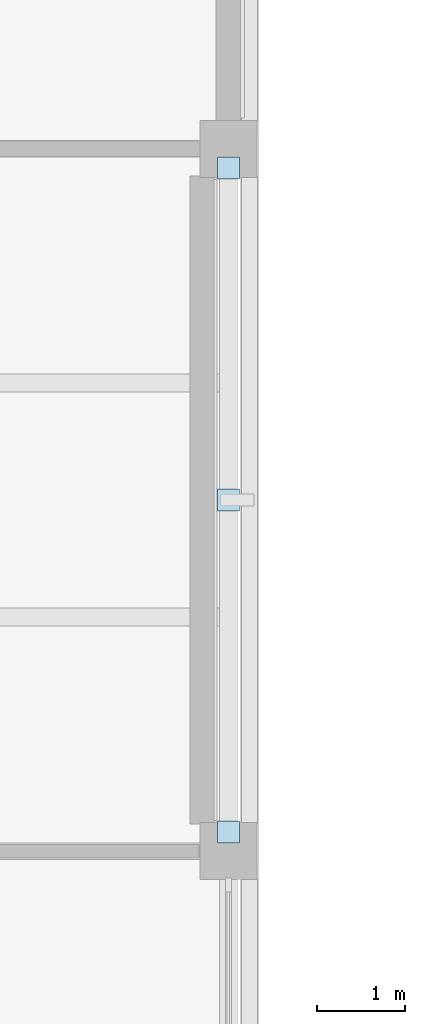
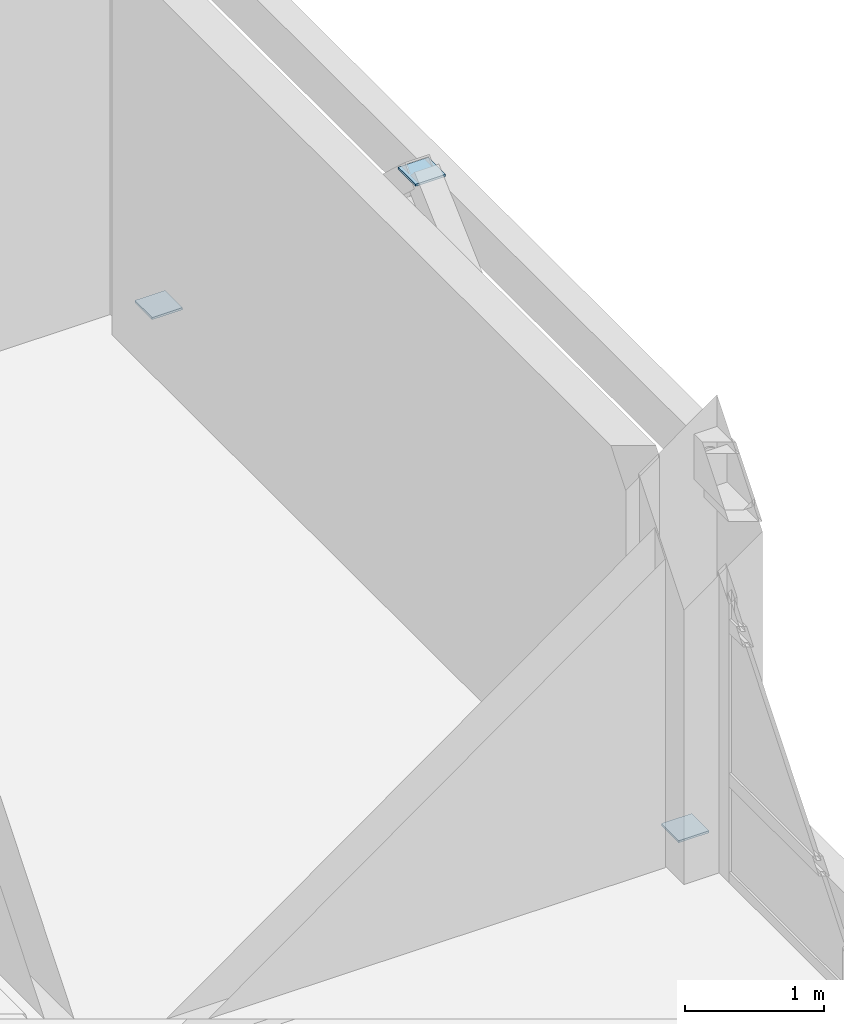
# One storey, part 63 of 92: 3 plates.
"""IFC4 building model written with IfcOpenShell, lengths in metres."""

import ifcopenshell
import ifcopenshell.guid

model = None  # the IFC model being written
_history = None  # IfcOwnerHistory: only IFC2X3 demands one
_inside = {}  # id of a spatial element -> (the spatial element, [elements in it])
_under = {}  # id of a project, library or spatial element -> (it, [spatial elements below it])
_declared = {}  # id of a project -> (the project, [libraries it declares])
_typed = {}  # id of a type object -> (the type object, [elements of that type])
_made_of = {}  # id of a material, layer set ... -> (it, [elements and type objects made of it])


def new_model(schema):
    """Start an empty IFC model of exactly this schema.

    Asked for "IFC4X3", IfcOpenShell would pick the latest addendum, in which some entities
    have other attributes; the version numbers below select the first issue.
    IFC2X3 requires an IfcOwnerHistory on every rooted entity: one is made here for all.
    """
    global model, _history
    if schema == "IFC4X3":
        model = ifcopenshell.file(schema_version=(4, 3, 0, 0))
    else:
        model = ifcopenshell.file(schema=schema)
    _inside.clear()
    _under.clear()
    _declared.clear()
    _typed.clear()
    _made_of.clear()
    _history = None
    if model.schema == "IFC2X3":
        org = make("IfcOrganization", Name="unknown")
        user = make(
            "IfcPersonAndOrganization",
            ThePerson=make("IfcPerson", FamilyName="unknown"),
            TheOrganization=org,
        )
        app = make(
            "IfcApplication",
            ApplicationDeveloper=org,
            Version="unknown",
            ApplicationFullName="unknown",
            ApplicationIdentifier="unknown",
        )
        _history = make(
            "IfcOwnerHistory",
            OwningUser=user,
            OwningApplication=app,
            ChangeAction="ADDED",
            CreationDate=0,
        )
    return model


def make(cls, **values):
    """One entity of the class cls with the attributes given. An attribute that is None is left unset."""
    return model.create_entity(
        cls, **{name: value for name, value in values.items() if value is not None}
    )


def rooted(cls, **values):
    """An entity with a GlobalId (a new one), such as an element, a storey or a relation."""
    return make(cls, GlobalId=ifcopenshell.guid.new(), OwnerHistory=_history, **values)


def si_unit(unit_type, name, prefix=None):
    """IfcSIUnit, for example si_unit("LENGTHUNIT", "METRE", prefix="MILLI")."""
    return make("IfcSIUnit", UnitType=unit_type, Prefix=prefix, Name=name)


def derived_unit(unit_type, elements):
    """IfcDerivedUnit: a product of units, each with its exponent."""
    return make(
        "IfcDerivedUnit",
        Elements=[
            make("IfcDerivedUnitElement", Unit=unit, Exponent=power)
            for unit, power in elements
        ],
        UnitType=unit_type,
    )


def assignment(units):
    """IfcUnitAssignment: the units of a project."""
    return None if units is None else make("IfcUnitAssignment", Units=units)


def point(xyz):
    """IfcCartesianPoint."""
    return None if xyz is None else make("IfcCartesianPoint", Coordinates=xyz)


def direction(xyz):
    """IfcDirection."""
    return None if xyz is None else make("IfcDirection", DirectionRatios=xyz)


def frame(location, z_axis=None, x_axis=None):
    """IfcAxis2Placement3D, a coordinate frame: its origin and axes. An axis left out is left unset."""
    return make(
        "IfcAxis2Placement3D",
        Location=point(location),
        Axis=direction(z_axis),
        RefDirection=direction(x_axis),
    )


def frame_2d(location, x_axis=None):
    """IfcAxis2Placement2D, a coordinate frame in the plane: its origin and x axis."""
    return make(
        "IfcAxis2Placement2D", Location=point(location), RefDirection=direction(x_axis)
    )


def origin():
    """The frame at (0, 0, 0) with its axes left unset."""
    return frame((0.0, 0.0, 0.0))


def origin_2d():
    """The frame at (0, 0) in the plane with its x axis left unset."""
    return frame_2d((0.0, 0.0))


def place(relative_to, where):
    """IfcLocalPlacement: puts the frame where relative to a parent placement (None: the world)."""
    return make(
        "IfcLocalPlacement", PlacementRelTo=relative_to, RelativePlacement=where
    )


def context(
    kind, dimensions, precision=None, world=None, true_north=None, identifier=None
):
    """IfcGeometricRepresentationContext, for example the 3D "Model" context."""
    return make(
        "IfcGeometricRepresentationContext",
        ContextIdentifier=identifier,
        ContextType=kind,
        CoordinateSpaceDimension=dimensions,
        Precision=precision,
        WorldCoordinateSystem=world,
        TrueNorth=true_north,
    )


def subcontext(parent, identifier, kind, view, scale=None):
    """IfcGeometricRepresentationSubContext, for example "Body" below "Model"."""
    return make(
        "IfcGeometricRepresentationSubContext",
        ContextIdentifier=identifier,
        ContextType=kind,
        ParentContext=parent,
        TargetScale=scale,
        TargetView=view,
    )


def project(units=None, contexts=None):
    """IfcProject with its units and contexts."""
    return rooted(
        "IfcProject",
        Name="project",
        RepresentationContexts=contexts,
        UnitsInContext=assignment(units),
    )


def spatial(cls, under=None, at=None, **own):
    """A site, building, storey or space (cls), placed at a placement, below another one or the project."""
    s = rooted(cls, ObjectPlacement=at, **own)
    if under is not None:
        _under.setdefault(under.id(), (under, []))[1].append(s)
    return s


def profile(cls, at=None, kind="AREA", **sizes):
    """A parametric profile (cls). Its sizes go by their IFC names, for example OverallWidth=200.0."""
    return make(cls, ProfileType=kind, Position=at, **sizes)


def rectangle(**sizes):
    """IfcRectangleProfileDef."""
    return profile("IfcRectangleProfileDef", **sizes)


def extrude(swept, where, along, depth):
    """IfcExtrudedAreaSolid: the profile swept, set in the frame where, extruded along a direction by depth."""
    return make(
        "IfcExtrudedAreaSolid",
        SweptArea=swept,
        Position=where,
        ExtrudedDirection=direction(along),
        Depth=depth,
    )


def shape(context_of_items, identifier, shape_type, items):
    """IfcShapeRepresentation: the items that make up one representation, for example the "Body"."""
    return make(
        "IfcShapeRepresentation",
        ContextOfItems=context_of_items,
        RepresentationIdentifier=identifier,
        RepresentationType=shape_type,
        Items=items,
    )


def material(Name=None, Category=None):
    """IfcMaterial."""
    return make("IfcMaterial", Name=Name, Category=Category)


def layer(
    of_material, thickness, ventilated=None, Name=None, Category=None, Priority=None
):
    """IfcMaterialLayer: one layer of a wall or slab, of a material (None: an air gap)."""
    return make(
        "IfcMaterialLayer",
        Material=of_material,
        LayerThickness=thickness,
        IsVentilated=ventilated,
        Name=Name,
        Category=Category,
        Priority=Priority,
    )


def layer_set(layers, Name=None):
    """IfcMaterialLayerSet."""
    return make("IfcMaterialLayerSet", MaterialLayers=layers, LayerSetName=Name)


def made_of(thing, what):
    """Note that an element or type object is made of a material, layer set ...; save() writes the relation."""
    if what is not None:
        _made_of.setdefault(what.id(), (what, []))[1].append(thing)
    return thing


def type_object(cls, material=None, **own):
    """A type object (cls), such as IfcWallType, which elements share."""
    return made_of(rooted(cls, **own), material)


def element(
    cls,
    number,
    at=None,
    inside=None,
    cuts=None,
    type_object=None,
    material=None,
    context=None,
    identifier="Body",
    shape_type=None,
    held_by="IfcProductDefinitionShape",
    body=None,
    shapes=None,
    **own,
):
    """One element of the class cls, such as IfcWall. Its Tag is "e" and its number.

    at: its placement. inside: the storey or other place that contains it. cuts: it is an
    opening in that element (IfcRelVoidsElement). A single representation is given by context,
    identifier, shape_type and body (its items); several are given by shapes. held_by: the class
    of the entity that holds the representations. save() writes the other relations.
    """
    e = rooted(cls, Tag="e%d" % number, ObjectPlacement=at, **own)
    if body is not None:
        shapes = [shape(context, identifier, shape_type, body)]
    if shapes is not None:
        e.Representation = make(held_by, Representations=shapes)
    if inside is not None:
        _inside.setdefault(inside.id(), (inside, []))[1].append(e)
    if cuts is not None:
        rooted(
            "IfcRelVoidsElement", RelatingBuildingElement=cuts, RelatedOpeningElement=e
        )
    if type_object is not None:
        _typed.setdefault(type_object.id(), (type_object, []))[1].append(e)
    return made_of(e, material)


def aggregate(whole, parts):
    """IfcRelAggregates: a whole, such as a stair, and the parts it consists of."""
    return rooted("IfcRelAggregates", RelatingObject=whole, RelatedObjects=parts)


def save(model, path):
    """Write the relations noted so far, then the file.

    IfcRelAggregates (storeys below a building ...), IfcRelContainedInSpatialStructure (elements
    in a storey), IfcRelDefinesByType, IfcRelAssociatesMaterial and IfcRelDeclares: one each for
    every whole, place, type object, material and project.
    """
    for whole, parts in _under.values():
        aggregate(whole, parts)
    for where, things in _inside.values():
        rooted(
            "IfcRelContainedInSpatialStructure",
            RelatedElements=things,
            RelatingStructure=where,
        )
    for kind, things in _typed.values():
        rooted("IfcRelDefinesByType", RelatedObjects=things, RelatingType=kind)
    for what, things in _made_of.values():
        rooted("IfcRelAssociatesMaterial", RelatedObjects=things, RelatingMaterial=what)
    for by, libraries in _declared.values():
        rooted("IfcRelDeclares", RelatingContext=by, RelatedDefinitions=libraries)
    model.write(path)


model = new_model("IFC4")

# Units and contexts
model_context = context("Model", 3, precision=1e-05, world=origin(), true_north=direction((0.0, 1.0)))
body_context = subcontext(model_context, "Body", "Model", "MODEL_VIEW")
ifc_project = project(units=[si_unit("LENGTHUNIT", "METRE"), si_unit("AREAUNIT", "SQUARE_METRE"), si_unit("VOLUMEUNIT", "CUBIC_METRE"), si_unit("PLANEANGLEUNIT", "RADIAN"), si_unit("MASSUNIT", "GRAM", prefix="KILO"), derived_unit("THERMALTRANSMITTANCEUNIT", [(si_unit("MASSUNIT", "GRAM", prefix="KILO"), 1), (si_unit("TIMEUNIT", "SECOND"), -3), (si_unit("THERMODYNAMICTEMPERATUREUNIT", "KELVIN"), -1)])], contexts=[model_context])

# Site, building, storey
site_placement = place(None, origin())
site = spatial("IfcSite", under=ifc_project, at=site_placement, CompositionType="ELEMENT")
building_placement = place(site_placement, origin())
building = spatial("IfcBuilding", under=site, at=building_placement, Name="Veyamyaing Civic Hall", CompositionType="ELEMENT")
storey_placement = place(building_placement, frame((0.0, 0.0, 17.820068359375)))
storey = spatial("IfcBuildingStorey", under=building, at=storey_placement, Name="L04", CompositionType="ELEMENT", Elevation=17.820068359375)

# Plates
ifc_material = material(Name="Steel S355J2", Category="steel")
ifc_layer = layer(ifc_material, 0.01806640625, Name="Steel S355J2")
ifc_layer_set = layer_set([ifc_layer], Name="Steel S355J2")
plate_type = type_object("IfcPlateType", Name="GP-02", PredefinedType="SHEET", material=ifc_layer_set)
for number, where, z_axis, x_axis, name in (
    (1, (176.0, 88.219970703125, 0.041015625), (0.0, 0.0, 1.0), (1.0, 0.0, 0.0), "Brace base gusset plate GP-02 BF-NE L04.L"),
    (2, (176.0, 95.780029296875, 0.041015625), (0.0, 0.0, 1.0), (1.0, 0.0, 0.0), "Brace base gusset plate GP-02 BF-NE L04.R"),
    (3, (176.0, 92.0, 3.5009765625), (0.0, 0.0, 1.0), (1.0, 0.0, 0.0), "Brace apex gusset plate GP-02 BF-NE L04"),
):
    element("IfcPlate", number, at=place(storey_placement, frame(where, z_axis=z_axis, x_axis=x_axis)), inside=storey, type_object=plate_type, Name=name, PredefinedType="SHEET", context=body_context, shape_type="SweptSolid", body=[
        extrude(rectangle(XDim=0.25, YDim=0.25, at=origin_2d()), origin(), (0.0, 0.0, 1.0), 0.01806640625),
    ])

save(model, "model.ifc")
